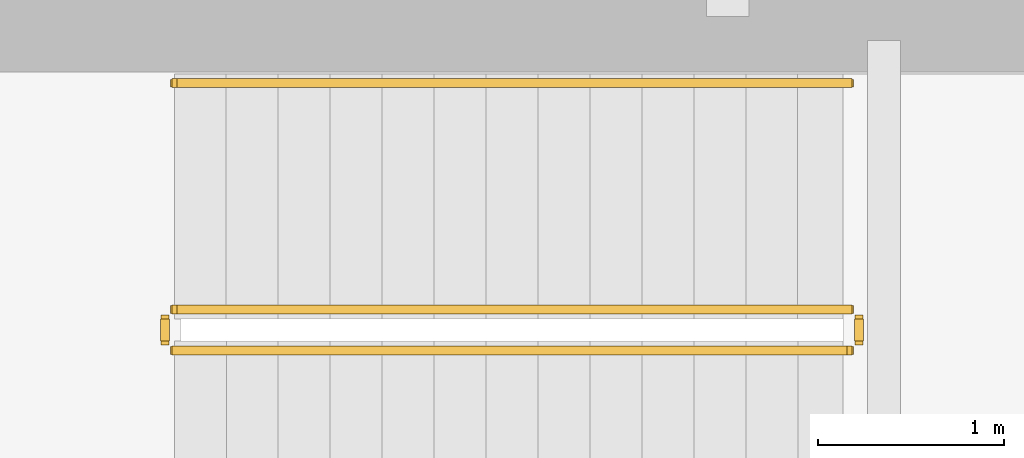
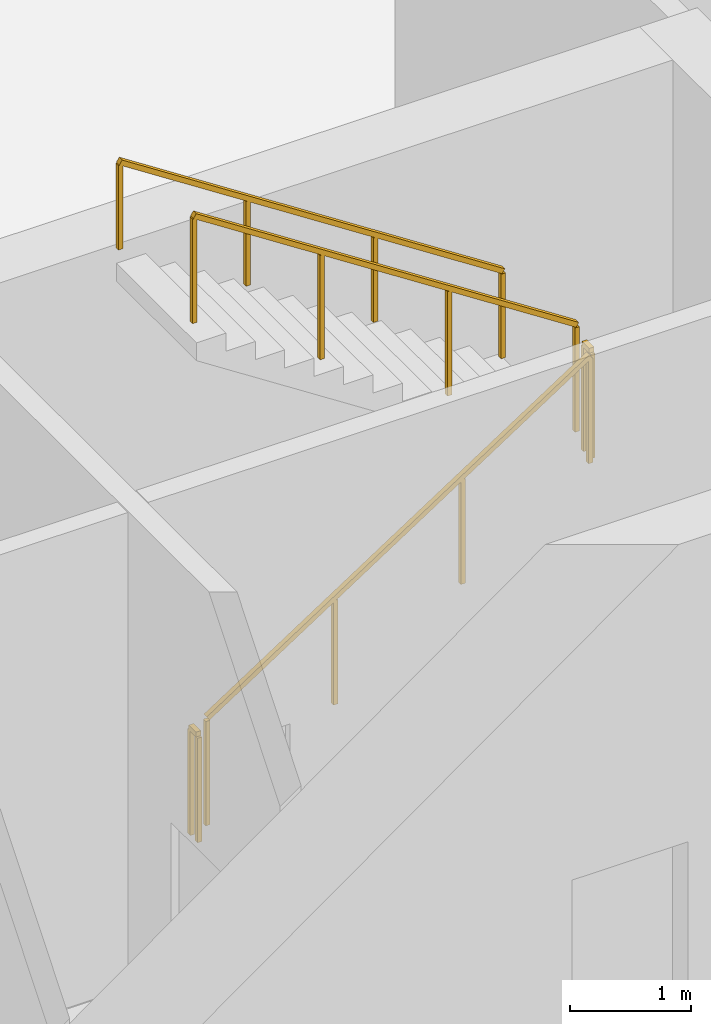
# One storey, part 18 of 21: 5 railings.
"""IFC4 building model written with IfcOpenShell, lengths in metres."""

from ifc_helpers import new_model, si_unit, direction, frame, origin, origin_2d, place, context, subcontext, project, spatial, rectangle, extrude, material, type_object, element, save


model = new_model("IFC4")

# Units and contexts
model_context = context("Model", 3, precision=1e-05, world=origin(), true_north=direction((0.0, 1.0)))
body_context = subcontext(model_context, "Body", "Model", "MODEL_VIEW")
ifc_project = project(units=[si_unit("LENGTHUNIT", "METRE"), si_unit("AREAUNIT", "SQUARE_METRE"), si_unit("VOLUMEUNIT", "CUBIC_METRE"), si_unit("PLANEANGLEUNIT", "RADIAN"), si_unit("MASSUNIT", "GRAM", prefix="KILO")], contexts=[model_context])

# Site, building, storey
site_placement = place(None, origin())
site = spatial("IfcSite", under=ifc_project, at=site_placement, CompositionType="ELEMENT")
building_placement = place(site_placement, origin())
building = spatial("IfcBuilding", under=site, at=building_placement, Name="Qhalaya Broadcast Tower", CompositionType="ELEMENT")
storey_placement = place(building_placement, origin())
storey = spatial("IfcBuildingStorey", under=building, at=storey_placement, Name="L00", CompositionType="ELEMENT", Elevation=0.0)

# Railings
ifc_material = material(Name="Powder-Coated Galvanised Steel", Category="steel")
railing_type_1 = type_object("IfcRailingType", Name="Stair Wall Handrail 900", PredefinedType="HANDRAIL", material=ifc_material)
railing_1_placement = place(storey_placement, frame((7.389892578125, 9.590087890625, 2.732177734375)))
element("IfcRailing", 1, at=railing_1_placement, inside=storey, type_object=railing_type_1, Name="L00 ST-1 Stair Handrail 2", PredefinedType="HANDRAIL", context=body_context, shape_type="SweptSolid", body=[
    extrude(rectangle(XDim=0.048095703125, YDim=0.048095703125, at=origin_2d()), frame((0.0, 0.0, 0.8759765625), z_axis=(-0.838234174257, 0.0, 0.545310433706), x_axis=(0.0, -1.0, 0.0)), (0.0, 0.0, 1.0), 4.34228515625),
    extrude(rectangle(XDim=0.0419921875, YDim=0.0419921875, at=origin_2d()), origin(), (0.0, 0.0, 1.0), 0.849853515625),
    extrude(rectangle(XDim=0.0419921875, YDim=0.0419921875, at=origin_2d()), frame((-1.21337890625, 0.0, 0.789306640625)), (0.0, 0.0, 1.0), 0.849853515625),
    extrude(rectangle(XDim=0.0419921875, YDim=0.0419921875, at=origin_2d()), frame((-2.426513671875, 0.0, 1.57861328125)), (0.0, 0.0, 1.0), 0.849853515625),
    extrude(rectangle(XDim=0.0419921875, YDim=0.0419921875, at=origin_2d()), frame((-3.639892578125, 0.0, 2.367919921875)), (0.0, 0.0, 1.0), 0.849853515625),
])
railing_type_2 = type_object("IfcRailingType", Name="Stair Well & Landing Guardrail 1100", PredefinedType="GUARDRAIL", material=ifc_material)
railing_2_placement = place(storey_placement, frame((3.75, 8.14990234375, 0.18212890625)))
element("IfcRailing", 2, at=railing_2_placement, inside=storey, type_object=railing_type_2, Name="L00 ST-1 Stair Guard 1", PredefinedType="GUARDRAIL", context=body_context, shape_type="SweptSolid", body=[
    extrude(rectangle(XDim=0.048095703125, YDim=0.048095703125, at=origin_2d()), frame((0.0, 0.0, 1.076171875), z_axis=(0.838234174257, 0.0, 0.545310433706), x_axis=(0.0, 1.0, 0.0)), (0.0, 0.0, 1.0), 4.34228515625),
    extrude(rectangle(XDim=0.0419921875, YDim=0.0419921875, at=origin_2d()), origin(), (0.0, 0.0, 1.0), 1.050048828125),
    extrude(rectangle(XDim=0.0419921875, YDim=0.0419921875, at=origin_2d()), frame((1.21337890625, 0.0, 0.789306640625)), (0.0, 0.0, 1.0), 1.050048828125),
    extrude(rectangle(XDim=0.0419921875, YDim=0.0419921875, at=origin_2d()), frame((2.426513671875, 0.0, 1.57861328125)), (0.0, 0.0, 1.0), 1.050048828125),
    extrude(rectangle(XDim=0.0419921875, YDim=0.0419921875, at=origin_2d()), frame((3.639892578125, 0.0, 2.367919921875)), (0.0, 0.0, 1.0), 1.050048828125),
])
railing_3_placement = place(storey_placement, frame((7.43994140625, 8.199951171875, 2.550048828125)))
element("IfcRailing", 3, at=railing_3_placement, inside=storey, type_object=railing_type_2, Name="L00 ST-1 Stair Guard 2", PredefinedType="GUARDRAIL", context=body_context, shape_type="SweptSolid", body=[
    extrude(rectangle(XDim=0.048095703125, YDim=0.048095703125, at=origin_2d()), frame((0.0, 0.0, 1.076171875), z_axis=(0.0, 1.0, 0.0), x_axis=(-1.0, 0.0, 0.0)), (0.0, 0.0, 1.0), 0.1201171875),
    extrude(rectangle(XDim=0.0419921875, YDim=0.0419921875, at=origin_2d()), origin(), (0.0, 0.0, 1.0), 1.050048828125),
    extrude(rectangle(XDim=0.0419921875, YDim=0.0419921875, at=origin_2d()), frame((0.0, 0.1201171875, 0.0)), (0.0, 0.0, 1.0), 1.050048828125),
])
railing_4_placement = place(storey_placement, frame((7.389892578125, 8.3701171875, 2.732177734375)))
element("IfcRailing", 4, at=railing_4_placement, inside=storey, type_object=railing_type_2, Name="L00 ST-1 Stair Guard 3", PredefinedType="GUARDRAIL", context=body_context, shape_type="SweptSolid", body=[
    extrude(rectangle(XDim=0.048095703125, YDim=0.048095703125, at=origin_2d()), frame((0.0, 0.0, 1.076171875), z_axis=(-0.838234174257, 0.0, 0.545310433706), x_axis=(0.0, -1.0, 0.0)), (0.0, 0.0, 1.0), 4.34228515625),
    extrude(rectangle(XDim=0.0419921875, YDim=0.0419921875, at=origin_2d()), origin(), (0.0, 0.0, 1.0), 1.050048828125),
    extrude(rectangle(XDim=0.0419921875, YDim=0.0419921875, at=origin_2d()), frame((-1.21337890625, 0.0, 0.789306640625)), (0.0, 0.0, 1.0), 1.050048828125),
    extrude(rectangle(XDim=0.0419921875, YDim=0.0419921875, at=origin_2d()), frame((-2.426513671875, 0.0, 1.57861328125)), (0.0, 0.0, 1.0), 1.050048828125),
    extrude(rectangle(XDim=0.0419921875, YDim=0.0419921875, at=origin_2d()), frame((-3.639892578125, 0.0, 2.367919921875)), (0.0, 0.0, 1.0), 1.050048828125),
])
railing_5_placement = place(storey_placement, frame((3.699951171875, 8.199951171875, 0.0)))
element("IfcRailing", 5, at=railing_5_placement, inside=storey, type_object=railing_type_2, Name="L00 ST-1 Stair Guard 4", PredefinedType="GUARDRAIL", context=body_context, shape_type="SweptSolid", body=[
    extrude(rectangle(XDim=0.048095703125, YDim=0.048095703125, at=origin_2d()), frame((0.0, 0.0, 1.076171875), z_axis=(0.0, 1.0, 0.0), x_axis=(-1.0, 0.0, 0.0)), (0.0, 0.0, 1.0), 0.1201171875),
    extrude(rectangle(XDim=0.0419921875, YDim=0.0419921875, at=origin_2d()), origin(), (0.0, 0.0, 1.0), 1.050048828125),
    extrude(rectangle(XDim=0.0419921875, YDim=0.0419921875, at=origin_2d()), frame((0.0, 0.1201171875, 0.0)), (0.0, 0.0, 1.0), 1.050048828125),
])

save(model, "model.ifc")
